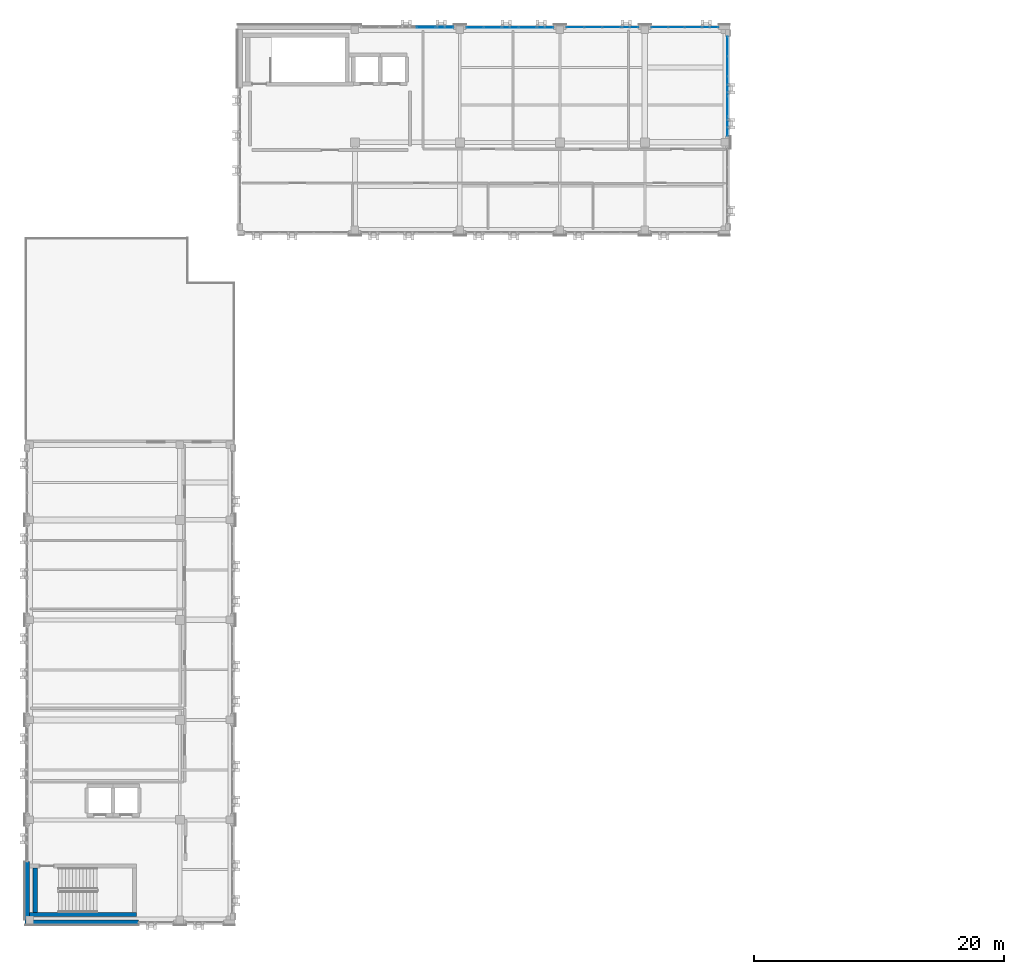
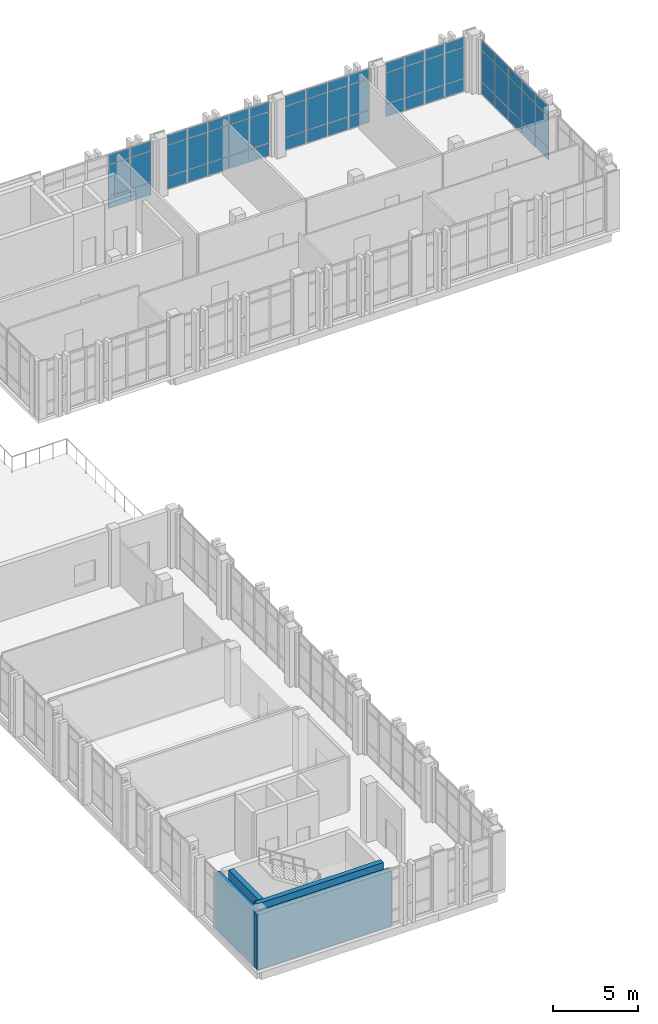
# One storey, part 58 of 77: 60 plates, 4 walls, 5 elements without a shape of their own.
"""IFC4 building model written with IfcOpenShell, lengths in metres."""

from ifc_helpers import new_model, si_unit, direction, frame, frame_2d, origin, origin_2d, place, context, subcontext, project, spatial, rectangle, extrude, material, layer, layer_set, type_object, element, aggregate, save


model = new_model("IFC4")

# Units and contexts
model_context = context("Model", 3, precision=1e-05, world=origin(), true_north=direction((0.0, 1.0)))
body_context = subcontext(model_context, "Body", "Model", "MODEL_VIEW")
ifc_project = project(units=[si_unit("LENGTHUNIT", "METRE"), si_unit("AREAUNIT", "SQUARE_METRE"), si_unit("VOLUMEUNIT", "CUBIC_METRE"), si_unit("PLANEANGLEUNIT", "RADIAN"), si_unit("MASSUNIT", "GRAM", prefix="KILO")], contexts=[model_context])

# Site, building, storey
site_placement = place(None, origin())
site = spatial("IfcSite", under=ifc_project, at=site_placement, CompositionType="ELEMENT")
building_placement = place(site_placement, origin())
building = spatial("IfcBuilding", under=site, at=building_placement, Name="Qalavern Law Courts", CompositionType="ELEMENT")
storey_placement = place(building_placement, frame((0.0, 0.0, 27.0)))
storey = spatial("IfcBuildingStorey", under=building, at=storey_placement, Name="L06", CompositionType="ELEMENT", Elevation=27.0)

# Curtain wall, plates
ifc_material_1 = material(Name="Anodised aluminium and insulated glazing", Category="aluminium")
ifc_layer_1 = layer(ifc_material_1, 0.166015625)
ifc_layer_set_1 = layer_set([ifc_layer_1], Name="Anodised aluminium and insulated glazing")
curtain_wall_type = type_object("IfcCurtainWallType", Name="ENV-CW-LIB", PredefinedType="USERDEFINED", material=ifc_layer_set_1)
curtain_wall_1_placement = place(storey_placement, origin())
curtain_wall_1 = element("IfcCurtainWall", 1, at=curtain_wall_1_placement, inside=storey, type_object=curtain_wall_type, Name="V5 unitised curtain wall L06 north 1", ObjectType="UNITISED CURTAIN WALL", PredefinedType="USERDEFINED")
ifc_material_2 = material(Name="Insulated low-E acoustic glazing", Category="glass")
ifc_layer_2 = layer(ifc_material_2, 0.031982421875)
ifc_layer_set_2 = layer_set([ifc_layer_2], Name="Insulated low-E acoustic glazing")
plate_type_1 = type_object("IfcPlateType", Name="ENV-CWP-32", PredefinedType="CURTAIN_PANEL", material=ifc_layer_set_2)
plate_1_placement = place(storey_placement, frame((56.81298828125, 112.81494140625, 0.048095703125), z_axis=(0.0, 0.0, 1.0), x_axis=(-1.0, 0.0, 0.0)))
plate_1 = element("IfcPlate", 2, at=plate_1_placement, type_object=plate_type_1, Name="CW-05 panel 1.1", PredefinedType="CURTAIN_PANEL", context=body_context, shape_type="SweptSolid", body=[
    extrude(rectangle(XDim=1.278076171875, YDim=0.031982421875, at=origin_2d()), origin(), (0.0, 0.0, 1.0), 0.8779296875),
])
plate_2_placement = place(storey_placement, frame((56.81298828125, 112.81494140625, 0.973876953125), z_axis=(0.0, 0.0, 1.0), x_axis=(-1.0, 0.0, 0.0)))
plate_2 = element("IfcPlate", 3, at=plate_2_placement, type_object=plate_type_1, Name="CW-05 panel 1.2", PredefinedType="CURTAIN_PANEL", context=body_context, shape_type="SweptSolid", body=[
    extrude(rectangle(XDim=1.278076171875, YDim=0.031982421875, at=origin_2d()), origin(), (0.0, 0.0, 1.0), 2.18701171875),
])
plate_3_placement = place(storey_placement, frame((56.81298828125, 112.81494140625, 3.208984375), z_axis=(0.0, 0.0, 1.0), x_axis=(-1.0, 0.0, 0.0)))
plate_3 = element("IfcPlate", 4, at=plate_3_placement, type_object=plate_type_1, Name="CW-05 panel 1.3", PredefinedType="CURTAIN_PANEL", context=body_context, shape_type="SweptSolid", body=[
    extrude(rectangle(XDim=1.278076171875, YDim=0.031982421875, at=origin_2d()), origin(), (0.0, 0.0, 1.0), 0.677978515625),
])
plate_4_placement = place(storey_placement, frame((55.47509765625, 112.81494140625, 0.048095703125), z_axis=(0.0, 0.0, 1.0), x_axis=(-1.0, 0.0, 0.0)))
plate_4 = element("IfcPlate", 5, at=plate_4_placement, type_object=plate_type_1, Name="CW-05 panel 2.1", PredefinedType="CURTAIN_PANEL", context=body_context, shape_type="SweptSolid", body=[
    extrude(rectangle(XDim=1.302001953125, YDim=0.031982421875, at=origin_2d()), origin(), (0.0, 0.0, 1.0), 0.8779296875),
])
plate_5_placement = place(storey_placement, frame((55.47509765625, 112.81494140625, 0.973876953125), z_axis=(0.0, 0.0, 1.0), x_axis=(-1.0, 0.0, 0.0)))
plate_5 = element("IfcPlate", 6, at=plate_5_placement, type_object=plate_type_1, Name="CW-05 panel 2.2", PredefinedType="CURTAIN_PANEL", context=body_context, shape_type="SweptSolid", body=[
    extrude(rectangle(XDim=1.302001953125, YDim=0.031982421875, at=origin_2d()), origin(), (0.0, 0.0, 1.0), 2.18701171875),
])
plate_6_placement = place(storey_placement, frame((55.47509765625, 112.81494140625, 3.208984375), z_axis=(0.0, 0.0, 1.0), x_axis=(-1.0, 0.0, 0.0)))
plate_6 = element("IfcPlate", 7, at=plate_6_placement, type_object=plate_type_1, Name="CW-05 panel 2.3", PredefinedType="CURTAIN_PANEL", context=body_context, shape_type="SweptSolid", body=[
    extrude(rectangle(XDim=1.302001953125, YDim=0.031982421875, at=origin_2d()), origin(), (0.0, 0.0, 1.0), 0.677978515625),
])
plate_7_placement = place(storey_placement, frame((54.125, 112.81494140625, 0.048095703125), z_axis=(0.0, 0.0, 1.0), x_axis=(-1.0, 0.0, 0.0)))
plate_7 = element("IfcPlate", 8, at=plate_7_placement, type_object=plate_type_1, Name="CW-05 panel 3.1", PredefinedType="CURTAIN_PANEL", context=body_context, shape_type="SweptSolid", body=[
    extrude(rectangle(XDim=1.302001953125, YDim=0.031982421875, at=origin_2d()), origin(), (0.0, 0.0, 1.0), 0.8779296875),
])
plate_8_placement = place(storey_placement, frame((54.125, 112.81494140625, 0.973876953125), z_axis=(0.0, 0.0, 1.0), x_axis=(-1.0, 0.0, 0.0)))
plate_8 = element("IfcPlate", 9, at=plate_8_placement, type_object=plate_type_1, Name="CW-05 panel 3.2", PredefinedType="CURTAIN_PANEL", context=body_context, shape_type="SweptSolid", body=[
    extrude(rectangle(XDim=1.302001953125, YDim=0.031982421875, at=origin_2d()), origin(), (0.0, 0.0, 1.0), 2.18701171875),
])
plate_9_placement = place(storey_placement, frame((54.125, 112.81494140625, 3.208984375), z_axis=(0.0, 0.0, 1.0), x_axis=(-1.0, 0.0, 0.0)))
plate_9 = element("IfcPlate", 10, at=plate_9_placement, type_object=plate_type_1, Name="CW-05 panel 3.3", PredefinedType="CURTAIN_PANEL", context=body_context, shape_type="SweptSolid", body=[
    extrude(rectangle(XDim=1.302001953125, YDim=0.031982421875, at=origin_2d()), origin(), (0.0, 0.0, 1.0), 0.677978515625),
])
plate_10_placement = place(storey_placement, frame((52.787109375, 112.81494140625, 0.048095703125), z_axis=(0.0, 0.0, 1.0), x_axis=(-1.0, 0.0, 0.0)))
plate_10 = element("IfcPlate", 11, at=plate_10_placement, type_object=plate_type_1, Name="CW-05 panel 4.1", PredefinedType="CURTAIN_PANEL", context=body_context, shape_type="SweptSolid", body=[
    extrude(rectangle(XDim=1.278076171875, YDim=0.031982421875, at=origin_2d()), origin(), (0.0, 0.0, 1.0), 0.8779296875),
])
plate_11_placement = place(storey_placement, frame((52.787109375, 112.81494140625, 0.973876953125), z_axis=(0.0, 0.0, 1.0), x_axis=(-1.0, 0.0, 0.0)))
plate_11 = element("IfcPlate", 12, at=plate_11_placement, type_object=plate_type_1, Name="CW-05 panel 4.2", PredefinedType="CURTAIN_PANEL", context=body_context, shape_type="SweptSolid", body=[
    extrude(rectangle(XDim=1.278076171875, YDim=0.031982421875, at=origin_2d()), origin(), (0.0, 0.0, 1.0), 2.18701171875),
])
plate_12_placement = place(storey_placement, frame((52.787109375, 112.81494140625, 3.208984375), z_axis=(0.0, 0.0, 1.0), x_axis=(-1.0, 0.0, 0.0)))
plate_12 = element("IfcPlate", 13, at=plate_12_placement, type_object=plate_type_1, Name="CW-05 panel 4.3", PredefinedType="CURTAIN_PANEL", context=body_context, shape_type="SweptSolid", body=[
    extrude(rectangle(XDim=1.278076171875, YDim=0.031982421875, at=origin_2d()), origin(), (0.0, 0.0, 1.0), 0.677978515625),
])
aggregate(curtain_wall_1, [plate_1, plate_2, plate_3, plate_4, plate_5, plate_6, plate_7, plate_8, plate_9, plate_10, plate_11, plate_12])

curtain_wall_2_placement = place(storey_placement, origin())
curtain_wall_2 = element("IfcCurtainWall", 14, at=curtain_wall_2_placement, inside=storey, type_object=curtain_wall_type, Name="V5 unitised curtain wall L06 east 2", ObjectType="UNITISED CURTAIN WALL", PredefinedType="USERDEFINED")
ifc_layer_3 = layer(ifc_material_2, 0.035888671875)
ifc_layer_set_3 = layer_set([ifc_layer_3], Name="Insulated low-E acoustic glazing")
plate_type_2 = type_object("IfcPlateType", Name="ENV-CWP-36", PredefinedType="CURTAIN_PANEL", material=ifc_layer_set_3)
plate_13_placement = place(storey_placement, frame((58.215087890625, 104.910400390625, 0.048095703125), z_axis=(0.0, 0.0, 1.0), x_axis=(0.0, 1.0, 0.0)))
plate_13 = element("IfcPlate", 15, at=plate_13_placement, type_object=plate_type_2, Name="CW-05 panel 1.1", PredefinedType="CURTAIN_PANEL", context=body_context, shape_type="SweptSolid", body=[
    extrude(rectangle(XDim=1.52490234375, YDim=0.035888671875, at=origin_2d()), origin(), (0.0, 0.0, 1.0), 0.8779296875),
])
plate_14_placement = place(storey_placement, frame((58.215087890625, 104.910400390625, 0.973876953125), z_axis=(0.0, 0.0, 1.0), x_axis=(0.0, 1.0, 0.0)))
plate_14 = element("IfcPlate", 16, at=plate_14_placement, type_object=plate_type_2, Name="CW-05 panel 1.2", PredefinedType="CURTAIN_PANEL", context=body_context, shape_type="SweptSolid", body=[
    extrude(rectangle(XDim=1.52490234375, YDim=0.035888671875, at=origin_2d()), origin(), (0.0, 0.0, 1.0), 2.18701171875),
])
plate_15_placement = place(storey_placement, frame((58.215087890625, 104.910400390625, 3.208984375), z_axis=(0.0, 0.0, 1.0), x_axis=(0.0, 1.0, 0.0)))
plate_15 = element("IfcPlate", 17, at=plate_15_placement, type_object=plate_type_2, Name="CW-05 panel 1.3", PredefinedType="CURTAIN_PANEL", context=body_context, shape_type="SweptSolid", body=[
    extrude(rectangle(XDim=1.52490234375, YDim=0.035888671875, at=origin_2d()), origin(), (0.0, 0.0, 1.0), 0.677978515625),
])
plate_16_placement = place(storey_placement, frame((58.215087890625, 106.49560546875, 0.048095703125), z_axis=(0.0, 0.0, 1.0), x_axis=(0.0, 1.0, 0.0)))
plate_16 = element("IfcPlate", 18, at=plate_16_placement, type_object=plate_type_2, Name="CW-05 panel 2.1", PredefinedType="CURTAIN_PANEL", context=body_context, shape_type="SweptSolid", body=[
    extrude(rectangle(XDim=1.549072265625, YDim=0.035888671875, at=origin_2d()), origin(), (0.0, 0.0, 1.0), 0.8779296875),
])
plate_17_placement = place(storey_placement, frame((58.215087890625, 106.49560546875, 0.973876953125), z_axis=(0.0, 0.0, 1.0), x_axis=(0.0, 1.0, 0.0)))
plate_17 = element("IfcPlate", 19, at=plate_17_placement, type_object=plate_type_2, Name="CW-05 panel 2.2", PredefinedType="CURTAIN_PANEL", context=body_context, shape_type="SweptSolid", body=[
    extrude(rectangle(XDim=1.549072265625, YDim=0.035888671875, at=origin_2d()), origin(), (0.0, 0.0, 1.0), 2.18701171875),
])
plate_18_placement = place(storey_placement, frame((58.215087890625, 106.49560546875, 3.208984375), z_axis=(0.0, 0.0, 1.0), x_axis=(0.0, 1.0, 0.0)))
plate_18 = element("IfcPlate", 20, at=plate_18_placement, type_object=plate_type_2, Name="CW-05 panel 2.3", PredefinedType="CURTAIN_PANEL", context=body_context, shape_type="SweptSolid", body=[
    extrude(rectangle(XDim=1.549072265625, YDim=0.035888671875, at=origin_2d()), origin(), (0.0, 0.0, 1.0), 0.677978515625),
])
plate_19_placement = place(storey_placement, frame((58.215087890625, 108.092529296875, 0.048095703125), z_axis=(0.0, 0.0, 1.0), x_axis=(0.0, 1.0, 0.0)))
plate_19 = element("IfcPlate", 21, at=plate_19_placement, type_object=plate_type_2, Name="CW-05 panel 3.1", PredefinedType="CURTAIN_PANEL", context=body_context, shape_type="SweptSolid", body=[
    extrude(rectangle(XDim=1.549072265625, YDim=0.035888671875, at=origin_2d()), origin(), (0.0, 0.0, 1.0), 0.8779296875),
])
plate_20_placement = place(storey_placement, frame((58.215087890625, 108.092529296875, 0.973876953125), z_axis=(0.0, 0.0, 1.0), x_axis=(0.0, 1.0, 0.0)))
plate_20 = element("IfcPlate", 22, at=plate_20_placement, type_object=plate_type_2, Name="CW-05 panel 3.2", PredefinedType="CURTAIN_PANEL", context=body_context, shape_type="SweptSolid", body=[
    extrude(rectangle(XDim=1.549072265625, YDim=0.035888671875, at=origin_2d()), origin(), (0.0, 0.0, 1.0), 2.18701171875),
])
plate_21_placement = place(storey_placement, frame((58.215087890625, 108.092529296875, 3.208984375), z_axis=(0.0, 0.0, 1.0), x_axis=(0.0, 1.0, 0.0)))
plate_21 = element("IfcPlate", 23, at=plate_21_placement, type_object=plate_type_2, Name="CW-05 panel 3.3", PredefinedType="CURTAIN_PANEL", context=body_context, shape_type="SweptSolid", body=[
    extrude(rectangle(XDim=1.549072265625, YDim=0.035888671875, at=origin_2d()), origin(), (0.0, 0.0, 1.0), 0.677978515625),
])
plate_22_placement = place(storey_placement, frame((58.215087890625, 109.689453125, 0.048095703125), z_axis=(0.0, 0.0, 1.0), x_axis=(0.0, 1.0, 0.0)))
plate_22 = element("IfcPlate", 24, at=plate_22_placement, type_object=plate_type_2, Name="CW-05 panel 4.1", PredefinedType="CURTAIN_PANEL", context=body_context, shape_type="SweptSolid", body=[
    extrude(rectangle(XDim=1.549072265625, YDim=0.035888671875, at=origin_2d()), origin(), (0.0, 0.0, 1.0), 0.8779296875),
])
plate_23_placement = place(storey_placement, frame((58.215087890625, 109.689453125, 0.973876953125), z_axis=(0.0, 0.0, 1.0), x_axis=(0.0, 1.0, 0.0)))
plate_23 = element("IfcPlate", 25, at=plate_23_placement, type_object=plate_type_2, Name="CW-05 panel 4.2", PredefinedType="CURTAIN_PANEL", context=body_context, shape_type="SweptSolid", body=[
    extrude(rectangle(XDim=1.549072265625, YDim=0.035888671875, at=origin_2d()), origin(), (0.0, 0.0, 1.0), 2.18701171875),
])
plate_24_placement = place(storey_placement, frame((58.215087890625, 109.689453125, 3.208984375), z_axis=(0.0, 0.0, 1.0), x_axis=(0.0, 1.0, 0.0)))
plate_24 = element("IfcPlate", 26, at=plate_24_placement, type_object=plate_type_2, Name="CW-05 panel 4.3", PredefinedType="CURTAIN_PANEL", context=body_context, shape_type="SweptSolid", body=[
    extrude(rectangle(XDim=1.549072265625, YDim=0.035888671875, at=origin_2d()), origin(), (0.0, 0.0, 1.0), 0.677978515625),
])
plate_25_placement = place(storey_placement, frame((58.215087890625, 111.2744140625, 0.048095703125), z_axis=(0.0, 0.0, 1.0), x_axis=(0.0, 1.0, 0.0)))
plate_25 = element("IfcPlate", 27, at=plate_25_placement, type_object=plate_type_2, Name="CW-05 panel 5.1", PredefinedType="CURTAIN_PANEL", context=body_context, shape_type="SweptSolid", body=[
    extrude(rectangle(XDim=1.52490234375, YDim=0.035888671875, at=origin_2d()), origin(), (0.0, 0.0, 1.0), 0.8779296875),
])
plate_26_placement = place(storey_placement, frame((58.215087890625, 111.2744140625, 0.973876953125), z_axis=(0.0, 0.0, 1.0), x_axis=(0.0, 1.0, 0.0)))
plate_26 = element("IfcPlate", 28, at=plate_26_placement, type_object=plate_type_2, Name="CW-05 panel 5.2", PredefinedType="CURTAIN_PANEL", context=body_context, shape_type="SweptSolid", body=[
    extrude(rectangle(XDim=1.52490234375, YDim=0.035888671875, at=origin_2d()), origin(), (0.0, 0.0, 1.0), 2.18701171875),
])
plate_27_placement = place(storey_placement, frame((58.215087890625, 111.2744140625, 3.208984375), z_axis=(0.0, 0.0, 1.0), x_axis=(0.0, 1.0, 0.0)))
plate_27 = element("IfcPlate", 29, at=plate_27_placement, type_object=plate_type_2, Name="CW-05 panel 5.3", PredefinedType="CURTAIN_PANEL", context=body_context, shape_type="SweptSolid", body=[
    extrude(rectangle(XDim=1.52490234375, YDim=0.035888671875, at=origin_2d()), origin(), (0.0, 0.0, 1.0), 0.677978515625),
])
aggregate(curtain_wall_2, [plate_13, plate_14, plate_15, plate_16, plate_17, plate_18, plate_19, plate_20, plate_21, plate_22, plate_23, plate_24, plate_25, plate_26, plate_27])

curtain_wall_3_placement = place(storey_placement, origin())
curtain_wall_3 = element("IfcCurtainWall", 30, at=curtain_wall_3_placement, inside=storey, type_object=curtain_wall_type, Name="V5 unitised curtain wall L06 north 2", ObjectType="UNITISED CURTAIN WALL", PredefinedType="USERDEFINED")
plate_28_placement = place(storey_placement, frame((50.363037109375, 112.81494140625, 0.048095703125), z_axis=(0.0, 0.0, 1.0), x_axis=(-1.0, 0.0, 0.0)))
plate_28 = element("IfcPlate", 31, at=plate_28_placement, type_object=plate_type_2, Name="CW-05 panel 1.1", PredefinedType="CURTAIN_PANEL", context=body_context, shape_type="SweptSolid", body=[
    extrude(rectangle(XDim=1.3779296875, YDim=0.035888671875, at=origin_2d()), origin(), (0.0, 0.0, 1.0), 0.8779296875),
])
plate_29_placement = place(storey_placement, frame((50.363037109375, 112.81494140625, 0.973876953125), z_axis=(0.0, 0.0, 1.0), x_axis=(-1.0, 0.0, 0.0)))
plate_29 = element("IfcPlate", 32, at=plate_29_placement, type_object=plate_type_2, Name="CW-05 panel 1.2", PredefinedType="CURTAIN_PANEL", context=body_context, shape_type="SweptSolid", body=[
    extrude(rectangle(XDim=1.3779296875, YDim=0.035888671875, at=origin_2d()), origin(), (0.0, 0.0, 1.0), 2.18701171875),
])
plate_30_placement = place(storey_placement, frame((50.363037109375, 112.81494140625, 3.208984375), z_axis=(0.0, 0.0, 1.0), x_axis=(-1.0, 0.0, 0.0)))
plate_30 = element("IfcPlate", 33, at=plate_30_placement, type_object=plate_type_2, Name="CW-05 panel 1.3", PredefinedType="CURTAIN_PANEL", context=body_context, shape_type="SweptSolid", body=[
    extrude(rectangle(XDim=1.3779296875, YDim=0.035888671875, at=origin_2d()), origin(), (0.0, 0.0, 1.0), 0.677978515625),
])
plate_31_placement = place(storey_placement, frame((48.925048828125, 112.81494140625, 0.048095703125), z_axis=(0.0, 0.0, 1.0), x_axis=(-1.0, 0.0, 0.0)))
plate_31 = element("IfcPlate", 34, at=plate_31_placement, type_object=plate_type_2, Name="CW-05 panel 2.1", PredefinedType="CURTAIN_PANEL", context=body_context, shape_type="SweptSolid", body=[
    extrude(rectangle(XDim=1.402099609375, YDim=0.035888671875, at=origin_2d()), origin(), (0.0, 0.0, 1.0), 0.8779296875),
])
plate_32_placement = place(storey_placement, frame((48.925048828125, 112.81494140625, 0.973876953125), z_axis=(0.0, 0.0, 1.0), x_axis=(-1.0, 0.0, 0.0)))
plate_32 = element("IfcPlate", 35, at=plate_32_placement, type_object=plate_type_2, Name="CW-05 panel 2.2", PredefinedType="CURTAIN_PANEL", context=body_context, shape_type="SweptSolid", body=[
    extrude(rectangle(XDim=1.402099609375, YDim=0.035888671875, at=origin_2d()), origin(), (0.0, 0.0, 1.0), 2.18701171875),
])
plate_33_placement = place(storey_placement, frame((48.925048828125, 112.81494140625, 3.208984375), z_axis=(0.0, 0.0, 1.0), x_axis=(-1.0, 0.0, 0.0)))
plate_33 = element("IfcPlate", 36, at=plate_33_placement, type_object=plate_type_2, Name="CW-05 panel 2.3", PredefinedType="CURTAIN_PANEL", context=body_context, shape_type="SweptSolid", body=[
    extrude(rectangle(XDim=1.402099609375, YDim=0.035888671875, at=origin_2d()), origin(), (0.0, 0.0, 1.0), 0.677978515625),
])
plate_34_placement = place(storey_placement, frame((47.47509765625, 112.81494140625, 0.048095703125), z_axis=(0.0, 0.0, 1.0), x_axis=(-1.0, 0.0, 0.0)))
plate_34 = element("IfcPlate", 37, at=plate_34_placement, type_object=plate_type_2, Name="CW-05 panel 3.1", PredefinedType="CURTAIN_PANEL", context=body_context, shape_type="SweptSolid", body=[
    extrude(rectangle(XDim=1.402099609375, YDim=0.035888671875, at=origin_2d()), origin(), (0.0, 0.0, 1.0), 0.8779296875),
])
plate_35_placement = place(storey_placement, frame((47.47509765625, 112.81494140625, 0.973876953125), z_axis=(0.0, 0.0, 1.0), x_axis=(-1.0, 0.0, 0.0)))
plate_35 = element("IfcPlate", 38, at=plate_35_placement, type_object=plate_type_2, Name="CW-05 panel 3.2", PredefinedType="CURTAIN_PANEL", context=body_context, shape_type="SweptSolid", body=[
    extrude(rectangle(XDim=1.402099609375, YDim=0.035888671875, at=origin_2d()), origin(), (0.0, 0.0, 1.0), 2.18701171875),
])
plate_36_placement = place(storey_placement, frame((47.47509765625, 112.81494140625, 3.208984375), z_axis=(0.0, 0.0, 1.0), x_axis=(-1.0, 0.0, 0.0)))
plate_36 = element("IfcPlate", 39, at=plate_36_placement, type_object=plate_type_2, Name="CW-05 panel 3.3", PredefinedType="CURTAIN_PANEL", context=body_context, shape_type="SweptSolid", body=[
    extrude(rectangle(XDim=1.402099609375, YDim=0.035888671875, at=origin_2d()), origin(), (0.0, 0.0, 1.0), 0.677978515625),
])
plate_37_placement = place(storey_placement, frame((46.037109375, 112.81494140625, 0.048095703125), z_axis=(0.0, 0.0, 1.0), x_axis=(-1.0, 0.0, 0.0)))
plate_37 = element("IfcPlate", 40, at=plate_37_placement, type_object=plate_type_2, Name="CW-05 panel 4.1", PredefinedType="CURTAIN_PANEL", context=body_context, shape_type="SweptSolid", body=[
    extrude(rectangle(XDim=1.3779296875, YDim=0.035888671875, at=origin_2d()), origin(), (0.0, 0.0, 1.0), 0.8779296875),
])
plate_38_placement = place(storey_placement, frame((46.037109375, 112.81494140625, 0.973876953125), z_axis=(0.0, 0.0, 1.0), x_axis=(-1.0, 0.0, 0.0)))
plate_38 = element("IfcPlate", 41, at=plate_38_placement, type_object=plate_type_2, Name="CW-05 panel 4.2", PredefinedType="CURTAIN_PANEL", context=body_context, shape_type="SweptSolid", body=[
    extrude(rectangle(XDim=1.3779296875, YDim=0.035888671875, at=origin_2d()), origin(), (0.0, 0.0, 1.0), 2.18701171875),
])
plate_39_placement = place(storey_placement, frame((46.037109375, 112.81494140625, 3.208984375), z_axis=(0.0, 0.0, 1.0), x_axis=(-1.0, 0.0, 0.0)))
plate_39 = element("IfcPlate", 42, at=plate_39_placement, type_object=plate_type_2, Name="CW-05 panel 4.3", PredefinedType="CURTAIN_PANEL", context=body_context, shape_type="SweptSolid", body=[
    extrude(rectangle(XDim=1.3779296875, YDim=0.035888671875, at=origin_2d()), origin(), (0.0, 0.0, 1.0), 0.677978515625),
])
aggregate(curtain_wall_3, [plate_28, plate_29, plate_30, plate_31, plate_32, plate_33, plate_34, plate_35, plate_36, plate_37, plate_38, plate_39])

curtain_wall_4_placement = place(storey_placement, origin())
curtain_wall_4 = element("IfcCurtainWall", 43, at=curtain_wall_4_placement, inside=storey, type_object=curtain_wall_type, Name="V5 unitised curtain wall L06 north 3", ObjectType="UNITISED CURTAIN WALL", PredefinedType="USERDEFINED")
ifc_layer_4 = layer(ifc_material_2, 0.0400390625)
ifc_layer_set_4 = layer_set([ifc_layer_4], Name="Insulated low-E acoustic glazing")
plate_type_3 = type_object("IfcPlateType", Name="ENV-CWP-40", PredefinedType="CURTAIN_PANEL", material=ifc_layer_set_4)
plate_40_placement = place(storey_placement, frame((43.587890625, 112.81494140625, 0.048095703125), z_axis=(0.0, 0.0, 1.0), x_axis=(-1.0, 0.0, 0.0)))
plate_40 = element("IfcPlate", 44, at=plate_40_placement, type_object=plate_type_3, Name="CW-05 panel 1.1", PredefinedType="CURTAIN_PANEL", context=body_context, shape_type="SweptSolid", body=[
    extrude(rectangle(XDim=1.327880859375, YDim=0.0400390625, at=origin_2d()), origin(), (0.0, 0.0, 1.0), 0.8779296875),
])
plate_41_placement = place(storey_placement, frame((43.587890625, 112.81494140625, 0.973876953125), z_axis=(0.0, 0.0, 1.0), x_axis=(-1.0, 0.0, 0.0)))
plate_41 = element("IfcPlate", 45, at=plate_41_placement, type_object=plate_type_3, Name="CW-05 panel 1.2", PredefinedType="CURTAIN_PANEL", context=body_context, shape_type="SweptSolid", body=[
    extrude(rectangle(XDim=1.327880859375, YDim=0.0400390625, at=origin_2d()), origin(), (0.0, 0.0, 1.0), 2.18701171875),
])
plate_42_placement = place(storey_placement, frame((43.587890625, 112.81494140625, 3.208984375), z_axis=(0.0, 0.0, 1.0), x_axis=(-1.0, 0.0, 0.0)))
plate_42 = element("IfcPlate", 46, at=plate_42_placement, type_object=plate_type_3, Name="CW-05 panel 1.3", PredefinedType="CURTAIN_PANEL", context=body_context, shape_type="SweptSolid", body=[
    extrude(rectangle(XDim=1.327880859375, YDim=0.0400390625, at=origin_2d()), origin(), (0.0, 0.0, 1.0), 0.677978515625),
])
plate_43_placement = place(storey_placement, frame((42.199951171875, 112.81494140625, 0.048095703125), z_axis=(0.0, 0.0, 1.0), x_axis=(-1.0, 0.0, 0.0)))
plate_43 = element("IfcPlate", 47, at=plate_43_placement, type_object=plate_type_3, Name="CW-05 panel 2.1", PredefinedType="CURTAIN_PANEL", context=body_context, shape_type="SweptSolid", body=[
    extrude(rectangle(XDim=1.35205078125, YDim=0.0400390625, at=origin_2d()), origin(), (0.0, 0.0, 1.0), 0.8779296875),
])
plate_44_placement = place(storey_placement, frame((42.199951171875, 112.81494140625, 0.973876953125), z_axis=(0.0, 0.0, 1.0), x_axis=(-1.0, 0.0, 0.0)))
plate_44 = element("IfcPlate", 48, at=plate_44_placement, type_object=plate_type_3, Name="CW-05 panel 2.2", PredefinedType="CURTAIN_PANEL", context=body_context, shape_type="SweptSolid", body=[
    extrude(rectangle(XDim=1.35205078125, YDim=0.0400390625, at=origin_2d()), origin(), (0.0, 0.0, 1.0), 2.18701171875),
])
plate_45_placement = place(storey_placement, frame((42.199951171875, 112.81494140625, 3.208984375), z_axis=(0.0, 0.0, 1.0), x_axis=(-1.0, 0.0, 0.0)))
plate_45 = element("IfcPlate", 49, at=plate_45_placement, type_object=plate_type_3, Name="CW-05 panel 2.3", PredefinedType="CURTAIN_PANEL", context=body_context, shape_type="SweptSolid", body=[
    extrude(rectangle(XDim=1.35205078125, YDim=0.0400390625, at=origin_2d()), origin(), (0.0, 0.0, 1.0), 0.677978515625),
])
plate_46_placement = place(storey_placement, frame((40.800048828125, 112.81494140625, 0.048095703125), z_axis=(0.0, 0.0, 1.0), x_axis=(-1.0, 0.0, 0.0)))
plate_46 = element("IfcPlate", 50, at=plate_46_placement, type_object=plate_type_3, Name="CW-05 panel 3.1", PredefinedType="CURTAIN_PANEL", context=body_context, shape_type="SweptSolid", body=[
    extrude(rectangle(XDim=1.35205078125, YDim=0.0400390625, at=origin_2d()), origin(), (0.0, 0.0, 1.0), 0.8779296875),
])
plate_47_placement = place(storey_placement, frame((40.800048828125, 112.81494140625, 0.973876953125), z_axis=(0.0, 0.0, 1.0), x_axis=(-1.0, 0.0, 0.0)))
plate_47 = element("IfcPlate", 51, at=plate_47_placement, type_object=plate_type_3, Name="CW-05 panel 3.2", PredefinedType="CURTAIN_PANEL", context=body_context, shape_type="SweptSolid", body=[
    extrude(rectangle(XDim=1.35205078125, YDim=0.0400390625, at=origin_2d()), origin(), (0.0, 0.0, 1.0), 2.18701171875),
])
plate_48_placement = place(storey_placement, frame((40.800048828125, 112.81494140625, 3.208984375), z_axis=(0.0, 0.0, 1.0), x_axis=(-1.0, 0.0, 0.0)))
plate_48 = element("IfcPlate", 52, at=plate_48_placement, type_object=plate_type_3, Name="CW-05 panel 3.3", PredefinedType="CURTAIN_PANEL", context=body_context, shape_type="SweptSolid", body=[
    extrude(rectangle(XDim=1.35205078125, YDim=0.0400390625, at=origin_2d()), origin(), (0.0, 0.0, 1.0), 0.677978515625),
])
plate_49_placement = place(storey_placement, frame((39.39990234375, 112.81494140625, 0.048095703125), z_axis=(0.0, 0.0, 1.0), x_axis=(-1.0, 0.0, 0.0)))
plate_49 = element("IfcPlate", 53, at=plate_49_placement, type_object=plate_type_3, Name="CW-05 panel 4.1", PredefinedType="CURTAIN_PANEL", context=body_context, shape_type="SweptSolid", body=[
    extrude(rectangle(XDim=1.35205078125, YDim=0.0400390625, at=origin_2d()), origin(), (0.0, 0.0, 1.0), 0.8779296875),
])
plate_50_placement = place(storey_placement, frame((39.39990234375, 112.81494140625, 0.973876953125), z_axis=(0.0, 0.0, 1.0), x_axis=(-1.0, 0.0, 0.0)))
plate_50 = element("IfcPlate", 54, at=plate_50_placement, type_object=plate_type_3, Name="CW-05 panel 4.2", PredefinedType="CURTAIN_PANEL", context=body_context, shape_type="SweptSolid", body=[
    extrude(rectangle(XDim=1.35205078125, YDim=0.0400390625, at=origin_2d()), origin(), (0.0, 0.0, 1.0), 2.18701171875),
])
plate_51_placement = place(storey_placement, frame((39.39990234375, 112.81494140625, 3.208984375), z_axis=(0.0, 0.0, 1.0), x_axis=(-1.0, 0.0, 0.0)))
plate_51 = element("IfcPlate", 55, at=plate_51_placement, type_object=plate_type_3, Name="CW-05 panel 4.3", PredefinedType="CURTAIN_PANEL", context=body_context, shape_type="SweptSolid", body=[
    extrude(rectangle(XDim=1.35205078125, YDim=0.0400390625, at=origin_2d()), origin(), (0.0, 0.0, 1.0), 0.677978515625),
])
plate_52_placement = place(storey_placement, frame((38.011962890625, 112.81494140625, 0.048095703125), z_axis=(0.0, 0.0, 1.0), x_axis=(-1.0, 0.0, 0.0)))
plate_52 = element("IfcPlate", 56, at=plate_52_placement, type_object=plate_type_3, Name="CW-05 panel 5.1", PredefinedType="CURTAIN_PANEL", context=body_context, shape_type="SweptSolid", body=[
    extrude(rectangle(XDim=1.327880859375, YDim=0.0400390625, at=origin_2d()), origin(), (0.0, 0.0, 1.0), 0.8779296875),
])
plate_53_placement = place(storey_placement, frame((38.011962890625, 112.81494140625, 0.973876953125), z_axis=(0.0, 0.0, 1.0), x_axis=(-1.0, 0.0, 0.0)))
plate_53 = element("IfcPlate", 57, at=plate_53_placement, type_object=plate_type_3, Name="CW-05 panel 5.2", PredefinedType="CURTAIN_PANEL", context=body_context, shape_type="SweptSolid", body=[
    extrude(rectangle(XDim=1.327880859375, YDim=0.0400390625, at=origin_2d()), origin(), (0.0, 0.0, 1.0), 2.18701171875),
])
plate_54_placement = place(storey_placement, frame((38.011962890625, 112.81494140625, 3.208984375), z_axis=(0.0, 0.0, 1.0), x_axis=(-1.0, 0.0, 0.0)))
plate_54 = element("IfcPlate", 58, at=plate_54_placement, type_object=plate_type_3, Name="CW-05 panel 5.3", PredefinedType="CURTAIN_PANEL", context=body_context, shape_type="SweptSolid", body=[
    extrude(rectangle(XDim=1.327880859375, YDim=0.0400390625, at=origin_2d()), origin(), (0.0, 0.0, 1.0), 0.677978515625),
])
aggregate(curtain_wall_4, [plate_40, plate_41, plate_42, plate_43, plate_44, plate_45, plate_46, plate_47, plate_48, plate_49, plate_50, plate_51, plate_52, plate_53, plate_54])

curtain_wall_5_placement = place(storey_placement, origin())
curtain_wall_5 = element("IfcCurtainWall", 59, at=curtain_wall_5_placement, inside=storey, type_object=curtain_wall_type, Name="V5 unitised curtain wall L06 north 4", ObjectType="UNITISED CURTAIN WALL", PredefinedType="USERDEFINED")
ifc_layer_5 = layer(ifc_material_2, 0.0439453125)
ifc_layer_set_5 = layer_set([ifc_layer_5], Name="Insulated low-E acoustic glazing")
plate_type_4 = type_object("IfcPlateType", Name="ENV-CWP-44", PredefinedType="CURTAIN_PANEL", material=ifc_layer_set_5)
plate_55_placement = place(storey_placement, frame((35.548095703125, 112.81494140625, 0.048095703125), z_axis=(0.0, 0.0, 1.0), x_axis=(-1.0, 0.0, 0.0)))
plate_55 = element("IfcPlate", 60, at=plate_55_placement, type_object=plate_type_4, Name="CW-05 panel 1.1", PredefinedType="CURTAIN_PANEL", context=body_context, shape_type="SweptSolid", body=[
    extrude(rectangle(XDim=1.407958984375, YDim=0.0439453125, at=origin_2d()), origin(), (0.0, 0.0, 1.0), 0.8779296875),
])
plate_56_placement = place(storey_placement, frame((35.548095703125, 112.81494140625, 0.973876953125), z_axis=(0.0, 0.0, 1.0), x_axis=(-1.0, 0.0, 0.0)))
plate_56 = element("IfcPlate", 61, at=plate_56_placement, type_object=plate_type_4, Name="CW-05 panel 1.2", PredefinedType="CURTAIN_PANEL", context=body_context, shape_type="SweptSolid", body=[
    extrude(rectangle(XDim=1.407958984375, YDim=0.0439453125, at=origin_2d()), origin(), (0.0, 0.0, 1.0), 2.18701171875),
])
plate_57_placement = place(storey_placement, frame((35.548095703125, 112.81494140625, 3.208984375), z_axis=(0.0, 0.0, 1.0), x_axis=(-1.0, 0.0, 0.0)))
plate_57 = element("IfcPlate", 62, at=plate_57_placement, type_object=plate_type_4, Name="CW-05 panel 1.3", PredefinedType="CURTAIN_PANEL", context=body_context, shape_type="SweptSolid", body=[
    extrude(rectangle(XDim=1.407958984375, YDim=0.0439453125, at=origin_2d()), origin(), (0.0, 0.0, 1.0), 0.677978515625),
])
plate_58_placement = place(storey_placement, frame((34.080078125, 112.81494140625, 0.048095703125), z_axis=(0.0, 0.0, 1.0), x_axis=(-1.0, 0.0, 0.0)))
plate_58 = element("IfcPlate", 63, at=plate_58_placement, type_object=plate_type_4, Name="CW-05 panel 2.1", PredefinedType="CURTAIN_PANEL", context=body_context, shape_type="SweptSolid", body=[
    extrude(rectangle(XDim=1.431884765625, YDim=0.0439453125, at=origin_2d()), origin(), (0.0, 0.0, 1.0), 0.8779296875),
])
plate_59_placement = place(storey_placement, frame((34.080078125, 112.81494140625, 0.973876953125), z_axis=(0.0, 0.0, 1.0), x_axis=(-1.0, 0.0, 0.0)))
plate_59 = element("IfcPlate", 64, at=plate_59_placement, type_object=plate_type_4, Name="CW-05 panel 2.2", PredefinedType="CURTAIN_PANEL", context=body_context, shape_type="SweptSolid", body=[
    extrude(rectangle(XDim=1.431884765625, YDim=0.0439453125, at=origin_2d()), origin(), (0.0, 0.0, 1.0), 2.18701171875),
])
plate_60_placement = place(storey_placement, frame((34.080078125, 112.81494140625, 3.208984375), z_axis=(0.0, 0.0, 1.0), x_axis=(-1.0, 0.0, 0.0)))
plate_60 = element("IfcPlate", 65, at=plate_60_placement, type_object=plate_type_4, Name="CW-05 panel 2.3", PredefinedType="CURTAIN_PANEL", context=body_context, shape_type="SweptSolid", body=[
    extrude(rectangle(XDim=1.431884765625, YDim=0.0439453125, at=origin_2d()), origin(), (0.0, 0.0, 1.0), 0.677978515625),
])
aggregate(curtain_wall_5, [plate_55, plate_56, plate_57, plate_58, plate_59, plate_60])

# Walls
ifc_material_3 = material(Name="Concrete C40/50", Category="concrete")
ifc_layer_6 = layer(ifc_material_3, 0.3701171875)
ifc_layer_set_6 = layer_set([ifc_layer_6], Name="Concrete C40/50")
wall_type_1 = type_object("IfcWallType", Name="ENV-EW-370", PredefinedType="SOLIDWALL", material=ifc_layer_set_6)
wall_1_placement = place(storey_placement, frame((2.0, 41.205078125, 0.0), z_axis=(0.0, 0.0, 1.0), x_axis=(1.0, 0.0, 0.0)))
element("IfcWall", 66, at=wall_1_placement, inside=storey, type_object=wall_type_1, Name="V3 exterior pier wall L06 south 1", PredefinedType="SOLIDWALL", context=body_context, shape_type="SweptSolid", body=[
    extrude(rectangle(XDim=9.10009765625, YDim=0.3701171875, at=frame_2d((4.550048828125, 0.0))), origin(), (0.0, 0.0, 1.0), 3.93505859375),
])
wall_2_placement = place(storey_placement, frame((2.18505859375, 46.050048828125, 0.0), z_axis=(0.0, 0.0, 1.0), x_axis=(0.0, -1.0, 0.0)))
element("IfcWall", 67, at=wall_2_placement, inside=storey, type_object=wall_type_1, Name="V3 exterior pier wall L06 west 6", PredefinedType="SOLIDWALL", context=body_context, shape_type="SweptSolid", body=[
    extrude(rectangle(XDim=4.6650390625, YDim=0.3701171875, at=frame_2d((2.33251953125, 0.0))), origin(), (0.0, 0.0, 1.0), 3.93505859375),
])
ifc_material_4 = material(Name="Concrete C45/55", Category="concrete")
ifc_layer_7 = layer(ifc_material_4, 0.3349609375)
ifc_layer_set_7 = layer_set([ifc_layer_7], Name="Concrete C45/55")
wall_type_2 = type_object("IfcWallType", Name="INT-CW-335", PredefinedType="SHEAR", material=ifc_layer_set_7)
wall_3_placement = place(storey_placement, frame((2.373046875, 41.83251953125, 0.0), z_axis=(0.0, 0.0, 1.0), x_axis=(1.0, 0.0, 0.0)))
element("IfcWall", 68, at=wall_3_placement, inside=storey, type_object=wall_type_2, Name="Core K2 stair shear wall L06 south", PredefinedType="SHEAR", context=body_context, shape_type="SweptSolid", body=[
    extrude(rectangle(XDim=8.56201171875, YDim=0.3349609375, at=frame_2d((4.281005859375, 0.0))), origin(), (0.0, 0.0, 1.0), 4.199951171875),
])
wall_4_placement = place(storey_placement, frame((2.83251953125, 45.550048828125, 0.0), z_axis=(0.0, 0.0, 1.0), x_axis=(0.0, -1.0, 0.0)))
element("IfcWall", 69, at=wall_4_placement, inside=storey, type_object=wall_type_2, Name="Core K2 stair shear wall L06 west", PredefinedType="SHEAR", context=body_context, shape_type="SweptSolid", body=[
    extrude(rectangle(XDim=3.550048828125, YDim=0.3349609375, at=frame_2d((1.77490234375, 0.0))), origin(), (0.0, 0.0, 1.0), 4.199951171875),
])

save(model, "model.ifc")
